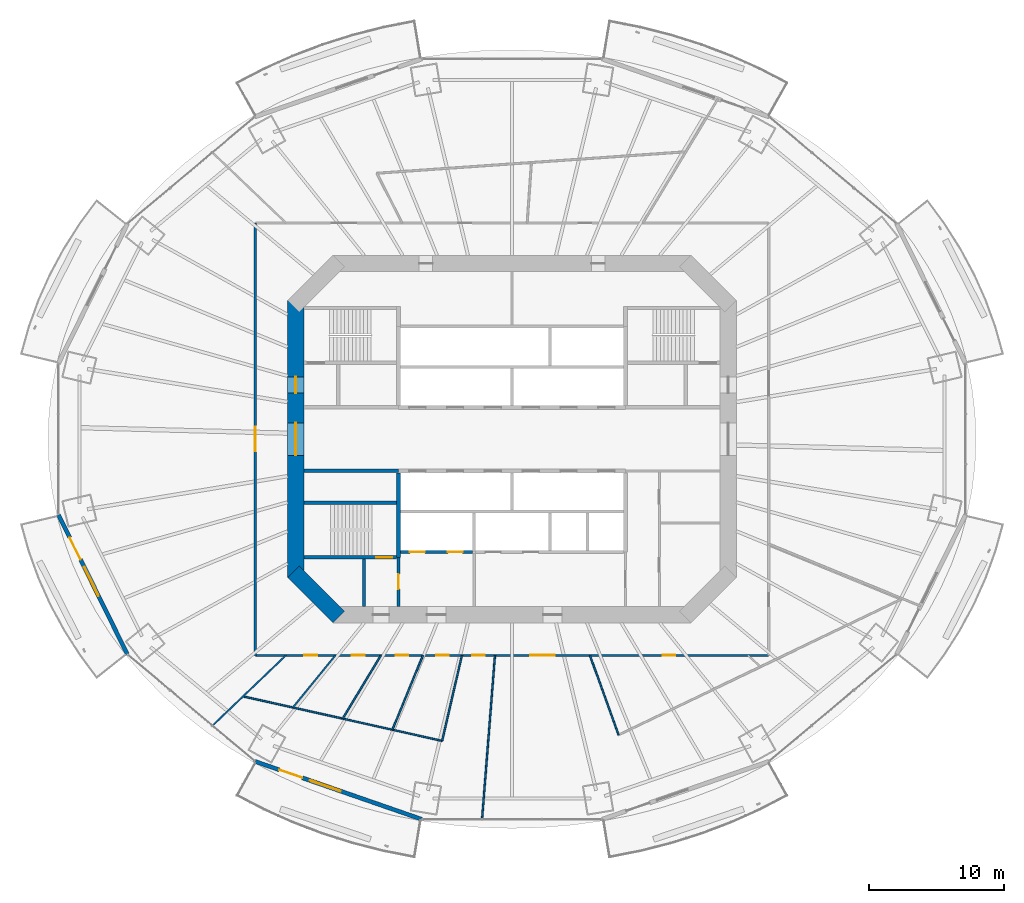
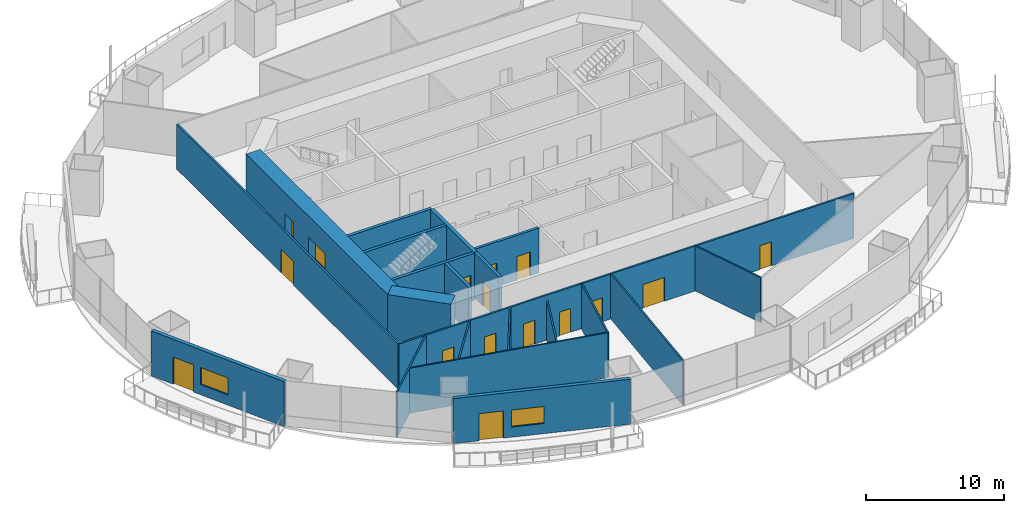
# One storey, part 13 of 22: 21 walls, 16 doors, 2 windows, 18 openings.
"""IFC4 building model written with IfcOpenShell, lengths in metres."""

from ifc_helpers import new_model, si_unit, direction, frame, frame_2d, origin, place, context, subcontext, project, spatial, rectangle, extrude, material, layer, layer_set, type_object, element, fill, save


model = new_model("IFC4")

# Units and contexts
model_context = context("Model", 3, precision=1e-05, world=origin(), true_north=direction((0.0, 1.0)))
body_context = subcontext(model_context, "Body", "Model", "MODEL_VIEW")
ifc_project = project(units=[si_unit("LENGTHUNIT", "METRE"), si_unit("AREAUNIT", "SQUARE_METRE"), si_unit("VOLUMEUNIT", "CUBIC_METRE"), si_unit("PLANEANGLEUNIT", "RADIAN"), si_unit("MASSUNIT", "GRAM", prefix="KILO")], contexts=[model_context])

# Site, building, storey
site_placement = place(None, origin())
site = spatial("IfcSite", under=ifc_project, at=site_placement, CompositionType="ELEMENT")
building_placement = place(site_placement, origin())
building = spatial("IfcBuilding", under=site, at=building_placement, Name="Marenthal Gate Tower", CompositionType="ELEMENT")
storey_placement = place(building_placement, frame((0.0, 0.0, 107.699951171875)))
storey = spatial("IfcBuildingStorey", under=building, at=storey_placement, Name="L22", CompositionType="ELEMENT", Elevation=107.699951171875)

# Wall, openings, doors
ifc_material_1 = material(Name="Concrete 60 MPa", Category="concrete")
ifc_layer_1 = layer(ifc_material_1, 1.199951171875)
ifc_layer_set_1 = layer_set([ifc_layer_1], Name="Core shear wall 1200")
wall_type_1 = type_object("IfcWallType", Name="Core shear wall 1200", PredefinedType="SHEAR", material=ifc_layer_set_1)
wall_1_placement = place(storey_placement, frame((-16.0, 10.24853515625, -0.179931640625), z_axis=(0.0, 0.0, 1.0), x_axis=(0.0, -1.0, 0.0)))
wall_1 = element("IfcWall", 1, at=wall_1_placement, inside=storey, type_object=wall_type_1, Name="Core wall 06", PredefinedType="SHEAR", context=body_context, shape_type="SweptSolid", body=[
    extrude(rectangle(XDim=20.4970703125, YDim=1.199951171875, at=frame_2d((10.24853515625, 0.0))), origin(), (0.0, 0.0, 1.0), 4.14990234375),
])
opening_1_placement = place(wall_1_placement, frame((9.048583984375, 0.0, 0.179931640625)))
opening_1 = element("IfcOpeningElement", 2, at=opening_1_placement, cuts=wall_1, Name="Opening D003.01", PredefinedType="OPENING", context=body_context, shape_type="SweptSolid", body=[
    extrude(rectangle(XDim=2.39990234375, YDim=2.10009765625, at=frame_2d((1.199951171875, 1.050048828125))), frame((0.0, 0.60986328125, 0.0), z_axis=(0.0, -1.0, 0.0), x_axis=(1.0, 0.0, 0.0)), (0.0, 0.0, 1.0), 1.219970703125),
])
opening_2_placement = place(wall_1_placement, frame((5.6484375, 0.0, 0.179931640625)))
opening_2 = element("IfcOpeningElement", 3, at=opening_2_placement, cuts=wall_1, Name="Opening D001.04", PredefinedType="OPENING", context=body_context, shape_type="SweptSolid", body=[
    extrude(rectangle(XDim=1.199951171875, YDim=2.10009765625, at=frame_2d((0.60009765625, 1.050048828125))), frame((0.0, 0.60986328125, 0.0), z_axis=(0.0, -1.0, 0.0), x_axis=(1.0, 0.0, 0.0)), (0.0, 0.0, 1.0), 1.219970703125),
])
ifc_material_2 = material(Name="Steel fire door", Category="steel")
door_type_1 = type_object("IfcDoorType", Name="Double fire door FD 45 2400 x 2100", OperationType="DOUBLE_DOOR_SINGLE_SWING", PredefinedType="DOOR", material=ifc_material_2)
door_1_placement = place(opening_1_placement, origin())
door_1 = element("IfcDoor", 4, at=door_1_placement, inside=storey, type_object=door_type_1, Name="Door D003.01", OperationType="DOUBLE_DOOR_SINGLE_SWING", OverallHeight=2.10009765625, OverallWidth=2.39990234375, PredefinedType="DOOR", context=body_context, shape_type="SweptSolid", body=[
    extrude(rectangle(XDim=2.39990234375, YDim=2.10009765625, at=frame_2d((1.199951171875, 1.050048828125))), frame((0.0, 0.02490234375, 0.0), z_axis=(0.0, -1.0, 0.0), x_axis=(1.0, 0.0, 0.0)), (0.0, 0.0, 1.0), 0.050048828125),
])
fill(opening_1, door_1)
ifc_material_3 = material(Name="Steel fire door", Category="steel")
door_type_2 = type_object("IfcDoorType", Name="Fire door FD 90 1200 x 2100", OperationType="NOTDEFINED", PredefinedType="DOOR", material=ifc_material_3)
door_2_placement = place(opening_2_placement, origin())
door_2 = element("IfcDoor", 5, at=door_2_placement, inside=storey, type_object=door_type_2, Name="Door D001.04", OperationType="SINGLE_SWING_RIGHT", OverallHeight=2.10009765625, OverallWidth=1.199951171875, PredefinedType="DOOR", context=body_context, shape_type="SweptSolid", body=[
    extrude(rectangle(XDim=1.199951171875, YDim=2.10009765625, at=frame_2d((0.60009765625, 1.050048828125))), frame((0.0, 0.02490234375, 0.0), z_axis=(0.0, -1.0, 0.0), x_axis=(1.0, 0.0, 0.0)), (0.0, 0.0, 1.0), 0.050048828125),
])
fill(opening_2, door_2)

# Walls
wall_2_placement = place(storey_placement, frame((-16.17578125, -9.82421875, -0.179931640625), z_axis=(0.0, 0.0, 1.0), x_axis=(0.707106781187, -0.707106781187, 0.0)))
element("IfcWall", 6, at=wall_2_placement, inside=storey, type_object=wall_type_1, Name="Core wall 07", PredefinedType="SHEAR", context=body_context, shape_type="SweptSolid", body=[
    extrude(rectangle(XDim=4.73974609375, YDim=1.199951171875, at=frame_2d((2.369873046875, 0.0))), origin(), (0.0, 0.0, 1.0), 4.14990234375),
])
ifc_material_4 = material(Name="Concrete 50 MPa", Category="concrete")
ifc_layer_2 = layer(ifc_material_4, 0.300048828125)
ifc_layer_set_2 = layer_set([ifc_layer_2], Name="Hoistway shear wall 300")
wall_type_2 = type_object("IfcWallType", Name="Hoistway shear wall 300", PredefinedType="SHEAR", material=ifc_layer_set_2)
wall_3_placement = place(storey_placement, frame((-8.39990234375, -8.75, -0.179931640625), z_axis=(0.0, 0.0, 1.0), x_axis=(0.0, 1.0, 0.0)))
element("IfcWall", 7, at=wall_3_placement, inside=storey, type_object=wall_type_2, Name="Hoistway wall 30", PredefinedType="SHEAR", context=body_context, shape_type="SweptSolid", body=[
    extrude(rectangle(XDim=6.25, YDim=0.300048828125, at=frame_2d((3.125, 0.0))), origin(), (0.0, 0.0, 1.0), 4.14990234375),
])

# Wall, openings, doors
ifc_material_5 = material(Name="Concrete 40 MPa", Category="concrete")
ifc_layer_3 = layer(ifc_material_5, 0.219970703125)
ifc_layer_set_3 = layer_set([ifc_layer_3], Name="Hoistway wall 220")
wall_type_3 = type_object("IfcWallType", Name="Hoistway wall 220", PredefinedType="STANDARD", material=ifc_layer_set_3)
wall_4_placement = place(storey_placement, frame((-8.25, -8.35009765625, 0.0), z_axis=(0.0, 0.0, 1.0), x_axis=(1.0, 0.0, 0.0)))
wall_4 = element("IfcWall", 8, at=wall_4_placement, inside=storey, type_object=wall_type_3, Name="Hoistway wall 10", PredefinedType="STANDARD", context=body_context, shape_type="SweptSolid", body=[
    extrude(rectangle(XDim=5.340087890625, YDim=0.219970703125, at=frame_2d((2.669921875, 0.0))), origin(), (0.0, 0.0, 1.0), 3.969970703125),
])
opening_3_placement = place(wall_4_placement, frame((0.699951171875, 0.0, 0.0)))
opening_3 = element("IfcOpeningElement", 9, at=opening_3_placement, cuts=wall_4, Name="Opening LD-LF1", PredefinedType="OPENING", context=body_context, shape_type="SweptSolid", body=[
    extrude(rectangle(XDim=1.10009765625, YDim=2.10009765625, at=frame_2d((0.550048828125, 1.050048828125))), frame((0.0, 0.1201171875, 0.0), z_axis=(0.0, -1.0, 0.0), x_axis=(1.0, 0.0, 0.0)), (0.0, 0.0, 1.0), 0.239990234375),
])
opening_4_placement = place(wall_4_placement, frame((3.5, 0.0, 0.0)))
opening_4 = element("IfcOpeningElement", 10, at=opening_4_placement, cuts=wall_4, Name="Opening LD-LF2", PredefinedType="OPENING", context=body_context, shape_type="SweptSolid", body=[
    extrude(rectangle(XDim=1.10009765625, YDim=2.10009765625, at=frame_2d((0.550048828125, 1.050048828125))), frame((0.0, 0.1201171875, 0.0), z_axis=(0.0, -1.0, 0.0), x_axis=(1.0, 0.0, 0.0)), (0.0, 0.0, 1.0), 0.239990234375),
])
ifc_material_6 = material(Name="Stainless steel sliding door", Category="steel")
door_type_3 = type_object("IfcDoorType", Name="Lift landing door FD 90 1100 x 2100", OperationType="DOUBLE_DOOR_SLIDING", PredefinedType="DOOR", material=ifc_material_6)
door_3_placement = place(opening_3_placement, origin())
door_3 = element("IfcDoor", 11, at=door_3_placement, inside=storey, type_object=door_type_3, Name="Lift landing door LF1", OperationType="DOUBLE_DOOR_SLIDING", OverallHeight=2.10009765625, OverallWidth=1.10009765625, PredefinedType="DOOR", context=body_context, shape_type="SweptSolid", body=[
    extrude(rectangle(XDim=1.10009765625, YDim=2.10009765625, at=frame_2d((0.550048828125, 1.050048828125))), frame((0.0, 0.02490234375, 0.0), z_axis=(0.0, -1.0, 0.0), x_axis=(1.0, 0.0, 0.0)), (0.0, 0.0, 1.0), 0.050048828125),
])
fill(opening_3, door_3)
door_4_placement = place(opening_4_placement, origin())
door_4 = element("IfcDoor", 12, at=door_4_placement, inside=storey, type_object=door_type_3, Name="Lift landing door LF2", OperationType="DOUBLE_DOOR_SLIDING", OverallHeight=2.10009765625, OverallWidth=1.10009765625, PredefinedType="DOOR", context=body_context, shape_type="SweptSolid", body=[
    extrude(rectangle(XDim=1.10009765625, YDim=2.10009765625, at=frame_2d((0.550048828125, 1.050048828125))), frame((0.0, 0.02490234375, 0.0), z_axis=(0.0, -1.0, 0.0), x_axis=(1.0, 0.0, 0.0)), (0.0, 0.0, 1.0), 0.050048828125),
])
fill(opening_4, door_4)

# Walls
ifc_material_7 = material(Name="Gypsum board on steel studs", Category="steel")
ifc_layer_4 = layer(ifc_material_7, 0.1201171875)
ifc_layer_set_4 = layer_set([ifc_layer_4], Name="Partition 120")
wall_type_4 = type_object("IfcWallType", Name="Partition 120", PredefinedType="PARTITIONING", material=ifc_layer_set_4)
wall_5_placement = place(storey_placement, frame((-19.902587890625, -19.039306640625, 0.0), z_axis=(0.0, 0.0, 1.0), x_axis=(0.975911899849, -0.218164991996, 0.0)))
element("IfcWall", 13, at=wall_5_placement, inside=storey, type_object=wall_type_4, Name="Partition wall 47", PredefinedType="PARTITIONING", context=body_context, shape_type="SweptSolid", body=[
    extrude(rectangle(XDim=15.094970703125, YDim=0.1201171875, at=frame_2d((7.54736328125, 0.0))), origin(), (0.0, 0.0, 1.0), 3.969970703125),
])
wall_6_placement = place(storey_placement, frame((-16.7255859375, -16.0, 0.0), z_axis=(0.0, 0.0, 1.0), x_axis=(-0.722599633889, -0.691266785767, 0.0)))
element("IfcWall", 14, at=wall_6_placement, inside=storey, type_object=wall_type_4, Name="Partition wall 50", PredefinedType="PARTITIONING", context=body_context, shape_type="SweptSolid", body=[
    extrude(rectangle(XDim=7.53466796875, YDim=0.1201171875, at=frame_2d((3.767333984375, 0.0))), origin(), (0.0, 0.0, 1.0), 3.969970703125),
])
wall_7_placement = place(storey_placement, frame((-16.2197265625, -19.862548828125, 0.0), z_axis=(0.0, 0.0, 1.0), x_axis=(0.632491004323, 0.774567704884, 0.0)))
element("IfcWall", 15, at=wall_7_placement, inside=storey, type_object=wall_type_4, Name="Partition wall 52", PredefinedType="PARTITIONING", context=body_context, shape_type="SweptSolid", body=[
    extrude(rectangle(XDim=4.98681640625, YDim=0.1201171875, at=frame_2d((2.493408203125, 0.0))), origin(), (0.0, 0.0, 1.0), 3.969970703125),
])
wall_8_placement = place(storey_placement, frame((-12.536865234375, -20.685791015625, 0.0), z_axis=(0.0, 0.0, 1.0), x_axis=(0.518297766023, 0.855200225523, 0.0)))
element("IfcWall", 16, at=wall_8_placement, inside=storey, type_object=wall_type_4, Name="Partition wall 53", PredefinedType="PARTITIONING", context=body_context, shape_type="SweptSolid", body=[
    extrude(rectangle(XDim=5.479248046875, YDim=0.1201171875, at=frame_2d((2.73974609375, 0.0))), origin(), (0.0, 0.0, 1.0), 3.969970703125),
])
wall_9_placement = place(storey_placement, frame((-8.85400390625, -21.509033203125, 0.0), z_axis=(0.0, 0.0, 1.0), x_axis=(0.380663236363, 0.92471373975, 0.0)))
element("IfcWall", 17, at=wall_9_placement, inside=storey, type_object=wall_type_4, Name="Partition wall 55", PredefinedType="PARTITIONING", context=body_context, shape_type="SweptSolid", body=[
    extrude(rectangle(XDim=5.95751953125, YDim=0.1201171875, at=frame_2d((2.978759765625, 0.0))), origin(), (0.0, 0.0, 1.0), 3.426025390625),
])
wall_10_placement = place(storey_placement, frame((-5.171142578125, -22.33251953125, 0.0), z_axis=(0.0, 0.0, 1.0), x_axis=(0.225583629602, 0.974223806964, 0.0)))
element("IfcWall", 18, at=wall_10_placement, inside=storey, type_object=wall_type_4, Name="Partition wall 56", PredefinedType="PARTITIONING", context=body_context, shape_type="SweptSolid", body=[
    extrude(rectangle(XDim=6.5, YDim=0.1201171875, at=frame_2d((3.25, 0.0))), origin(), (0.0, 0.0, 1.0), 3.969970703125),
])
wall_11_placement = place(storey_placement, frame((-1.260009765625, -16.0, 0.0), z_axis=(0.0, 0.0, 1.0), x_axis=(-0.078510530824, -0.996913284368, 0.0)))
element("IfcWall", 19, at=wall_11_placement, inside=storey, type_object=wall_type_4, Name="Partition wall 57", PredefinedType="PARTITIONING", context=body_context, shape_type="SweptSolid", body=[
    extrude(rectangle(XDim=12.17431640625, YDim=0.1201171875, at=frame_2d((6.087158203125, 0.0))), origin(), (0.0, 0.0, 1.0), 3.969970703125),
])
wall_12_placement = place(storey_placement, frame((7.887451171875, -21.892333984375, 0.0), z_axis=(0.0, 0.0, 1.0), x_axis=(-0.338974817015, 0.940795447177, 0.0)))
element("IfcWall", 20, at=wall_12_placement, inside=storey, type_object=wall_type_4, Name="Partition wall 60", PredefinedType="PARTITIONING", context=body_context, shape_type="SweptSolid", body=[
    extrude(rectangle(XDim=6.26318359375, YDim=0.1201171875, at=frame_2d((3.131591796875, 0.0))), origin(), (0.0, 0.0, 1.0), 3.969970703125),
])

# Wall, opening, door
ifc_material_8 = material(Name="Gypsum board on steel studs", Category="steel")
ifc_layer_5 = layer(ifc_material_8, 0.14990234375)
ifc_layer_set_5 = layer_set([ifc_layer_5], Name="Partition 150")
wall_type_5 = type_object("IfcWallType", Name="Partition 150", PredefinedType="PARTITIONING", material=ifc_layer_set_5)
wall_13_placement = place(storey_placement, frame((-19.0, -16.0, 0.0), z_axis=(0.0, 0.0, 1.0), x_axis=(0.0, 1.0, 0.0)))
wall_13 = element("IfcWall", 21, at=wall_13_placement, inside=storey, type_object=wall_type_5, Name="Partition wall 48", PredefinedType="PARTITIONING", context=body_context, shape_type="SweptSolid", body=[
    extrude(rectangle(XDim=32.0, YDim=0.14990234375, at=frame_2d((16.0, 0.0))), origin(), (0.0, 0.0, 1.0), 3.969970703125),
])
opening_5_placement = place(wall_13_placement, frame((15.10009765625, 0.0, 0.0)))
opening_5 = element("IfcOpeningElement", 22, at=opening_5_placement, cuts=wall_13, Name="Opening D014.02", PredefinedType="OPENING", context=body_context, shape_type="SweptSolid", body=[
    extrude(rectangle(XDim=1.800048828125, YDim=2.10009765625, at=frame_2d((0.89990234375, 1.050048828125))), frame((0.0, 0.0849609375, 0.0), z_axis=(0.0, -1.0, 0.0), x_axis=(1.0, 0.0, 0.0)), (0.0, 0.0, 1.0), 0.169921875),
])
ifc_material_9 = material(Name="Timber door", Category="wood")
door_type_4 = type_object("IfcDoorType", Name="Double door 1800 x 2100", OperationType="DOUBLE_DOOR_SINGLE_SWING", PredefinedType="DOOR", material=ifc_material_9)
door_5_placement = place(opening_5_placement, origin())
door_5 = element("IfcDoor", 23, at=door_5_placement, inside=storey, type_object=door_type_4, Name="Door D014.02", OperationType="DOUBLE_DOOR_SINGLE_SWING", OverallHeight=2.10009765625, OverallWidth=1.800048828125, PredefinedType="DOOR", context=body_context, shape_type="SweptSolid", body=[
    extrude(rectangle(XDim=1.800048828125, YDim=2.10009765625, at=frame_2d((0.89990234375, 1.050048828125))), frame((0.0, 0.02490234375, 0.0), z_axis=(0.0, -1.0, 0.0), x_axis=(1.0, 0.0, 0.0)), (0.0, 0.0, 1.0), 0.050048828125),
])
fill(opening_5, door_5)

# Wall, openings, doors
wall_14_placement = place(storey_placement, frame((19.0, -16.0, 0.0), z_axis=(0.0, 0.0, 1.0), x_axis=(-1.0, 0.0, 0.0)))
wall_14 = element("IfcWall", 24, at=wall_14_placement, inside=storey, type_object=wall_type_5, Name="Partition wall 64", PredefinedType="PARTITIONING", context=body_context, shape_type="SweptSolid", body=[
    extrude(rectangle(XDim=38.0, YDim=0.14990234375, at=frame_2d((19.0, 0.0))), origin(), (0.0, 0.0, 1.0), 3.969970703125),
])
opening_6_placement = place(wall_14_placement, frame((33.4208984375, 0.0, 0.0)))
opening_6 = element("IfcOpeningElement", 25, at=opening_6_placement, cuts=wall_14, Name="Opening D016.03", PredefinedType="OPENING", context=body_context, shape_type="SweptSolid", body=[
    extrude(rectangle(XDim=0.949951171875, YDim=2.10009765625, at=frame_2d((0.47509765625, 1.050048828125))), frame((0.0, 0.0849609375, 0.0), z_axis=(0.0, -1.0, 0.0), x_axis=(1.0, 0.0, 0.0)), (0.0, 0.0, 1.0), 0.169921875),
])
opening_7_placement = place(wall_14_placement, frame((29.906982421875, 0.0, 0.0)))
opening_7 = element("IfcOpeningElement", 26, at=opening_7_placement, cuts=wall_14, Name="Opening D016.04", PredefinedType="OPENING", context=body_context, shape_type="SweptSolid", body=[
    extrude(rectangle(XDim=0.949951171875, YDim=2.10009765625, at=frame_2d((0.47509765625, 1.050048828125))), frame((0.0, 0.0849609375, 0.0), z_axis=(0.0, -1.0, 0.0), x_axis=(1.0, 0.0, 0.0)), (0.0, 0.0, 1.0), 0.169921875),
])
opening_8_placement = place(wall_14_placement, frame((26.666015625, 0.0, 0.0)))
opening_8 = element("IfcOpeningElement", 27, at=opening_8_placement, cuts=wall_14, Name="Opening D016.05", PredefinedType="OPENING", context=body_context, shape_type="SweptSolid", body=[
    extrude(rectangle(XDim=0.949951171875, YDim=2.10009765625, at=frame_2d((0.47509765625, 1.050048828125))), frame((0.0, 0.0849609375, 0.0), z_axis=(0.0, -1.0, 0.0), x_axis=(1.0, 0.0, 0.0)), (0.0, 0.0, 1.0), 0.169921875),
])
opening_9_placement = place(wall_14_placement, frame((23.669921875, 0.0, 0.0)))
opening_9 = element("IfcOpeningElement", 28, at=opening_9_placement, cuts=wall_14, Name="Opening D016.06", PredefinedType="OPENING", context=body_context, shape_type="SweptSolid", body=[
    extrude(rectangle(XDim=0.949951171875, YDim=2.10009765625, at=frame_2d((0.47509765625, 1.050048828125))), frame((0.0, 0.0849609375, 0.0), z_axis=(0.0, -1.0, 0.0), x_axis=(1.0, 0.0, 0.0)), (0.0, 0.0, 1.0), 0.169921875),
])
opening_10_placement = place(wall_14_placement, frame((21.008056640625, 0.0, 0.0)))
opening_10 = element("IfcOpeningElement", 29, at=opening_10_placement, cuts=wall_14, Name="Opening D016.07", PredefinedType="OPENING", context=body_context, shape_type="SweptSolid", body=[
    extrude(rectangle(XDim=0.949951171875, YDim=2.10009765625, at=frame_2d((0.47509765625, 1.050048828125))), frame((0.0, 0.0849609375, 0.0), z_axis=(0.0, -1.0, 0.0), x_axis=(1.0, 0.0, 0.0)), (0.0, 0.0, 1.0), 0.169921875),
])
opening_11_placement = place(wall_14_placement, frame((6.912109375, 0.0, 0.0)))
opening_11 = element("IfcOpeningElement", 30, at=opening_11_placement, cuts=wall_14, Name="Opening D016.08", PredefinedType="OPENING", context=body_context, shape_type="SweptSolid", body=[
    extrude(rectangle(XDim=0.949951171875, YDim=2.10009765625, at=frame_2d((0.47509765625, 1.050048828125))), frame((0.0, 0.0849609375, 0.0), z_axis=(0.0, -1.0, 0.0), x_axis=(1.0, 0.0, 0.0)), (0.0, 0.0, 1.0), 0.169921875),
])
opening_12_placement = place(wall_14_placement, frame((15.847900390625, 0.0, 0.0)))
opening_12 = element("IfcOpeningElement", 31, at=opening_12_placement, cuts=wall_14, Name="Opening D014.03", PredefinedType="OPENING", context=body_context, shape_type="SweptSolid", body=[
    extrude(rectangle(XDim=1.800048828125, YDim=2.10009765625, at=frame_2d((0.89990234375, 1.050048828125))), frame((0.0, 0.0849609375, 0.0), z_axis=(0.0, -1.0, 0.0), x_axis=(1.0, 0.0, 0.0)), (0.0, 0.0, 1.0), 0.169921875),
])
ifc_material_10 = material(Name="Timber door", Category="wood")
door_type_5 = type_object("IfcDoorType", Name="Door 950 x 2100", OperationType="NOTDEFINED", PredefinedType="DOOR", material=ifc_material_10)
door_6_placement = place(opening_6_placement, origin())
door_6 = element("IfcDoor", 32, at=door_6_placement, inside=storey, type_object=door_type_5, Name="Door D016.03", OperationType="SINGLE_SWING_RIGHT", OverallHeight=2.10009765625, OverallWidth=0.949951171875, PredefinedType="DOOR", context=body_context, shape_type="SweptSolid", body=[
    extrude(rectangle(XDim=0.949951171875, YDim=2.10009765625, at=frame_2d((0.47509765625, 1.050048828125))), frame((0.0, 0.02490234375, 0.0), z_axis=(0.0, -1.0, 0.0), x_axis=(1.0, 0.0, 0.0)), (0.0, 0.0, 1.0), 0.050048828125),
])
fill(opening_6, door_6)
door_7_placement = place(opening_7_placement, origin())
door_7 = element("IfcDoor", 33, at=door_7_placement, inside=storey, type_object=door_type_5, Name="Door D016.04", OperationType="SINGLE_SWING_RIGHT", OverallHeight=2.10009765625, OverallWidth=0.949951171875, PredefinedType="DOOR", context=body_context, shape_type="SweptSolid", body=[
    extrude(rectangle(XDim=0.949951171875, YDim=2.10009765625, at=frame_2d((0.47509765625, 1.050048828125))), frame((0.0, 0.02490234375, 0.0), z_axis=(0.0, -1.0, 0.0), x_axis=(1.0, 0.0, 0.0)), (0.0, 0.0, 1.0), 0.050048828125),
])
fill(opening_7, door_7)
door_8_placement = place(opening_8_placement, origin())
door_8 = element("IfcDoor", 34, at=door_8_placement, inside=storey, type_object=door_type_5, Name="Door D016.05", OperationType="SINGLE_SWING_RIGHT", OverallHeight=2.10009765625, OverallWidth=0.949951171875, PredefinedType="DOOR", context=body_context, shape_type="SweptSolid", body=[
    extrude(rectangle(XDim=0.949951171875, YDim=2.10009765625, at=frame_2d((0.47509765625, 1.050048828125))), frame((0.0, 0.02490234375, 0.0), z_axis=(0.0, -1.0, 0.0), x_axis=(1.0, 0.0, 0.0)), (0.0, 0.0, 1.0), 0.050048828125),
])
fill(opening_8, door_8)
door_9_placement = place(opening_9_placement, origin())
door_9 = element("IfcDoor", 35, at=door_9_placement, inside=storey, type_object=door_type_5, Name="Door D016.06", OperationType="SINGLE_SWING_RIGHT", OverallHeight=2.10009765625, OverallWidth=0.949951171875, PredefinedType="DOOR", context=body_context, shape_type="SweptSolid", body=[
    extrude(rectangle(XDim=0.949951171875, YDim=2.10009765625, at=frame_2d((0.47509765625, 1.050048828125))), frame((0.0, 0.02490234375, 0.0), z_axis=(0.0, -1.0, 0.0), x_axis=(1.0, 0.0, 0.0)), (0.0, 0.0, 1.0), 0.050048828125),
])
fill(opening_9, door_9)
door_10_placement = place(opening_10_placement, origin())
door_10 = element("IfcDoor", 36, at=door_10_placement, inside=storey, type_object=door_type_5, Name="Door D016.07", OperationType="SINGLE_SWING_RIGHT", OverallHeight=2.10009765625, OverallWidth=0.949951171875, PredefinedType="DOOR", context=body_context, shape_type="SweptSolid", body=[
    extrude(rectangle(XDim=0.949951171875, YDim=2.10009765625, at=frame_2d((0.47509765625, 1.050048828125))), frame((0.0, 0.02490234375, 0.0), z_axis=(0.0, -1.0, 0.0), x_axis=(1.0, 0.0, 0.0)), (0.0, 0.0, 1.0), 0.050048828125),
])
fill(opening_10, door_10)
door_11_placement = place(opening_11_placement, origin())
door_11 = element("IfcDoor", 37, at=door_11_placement, inside=storey, type_object=door_type_5, Name="Door D016.08", OperationType="SINGLE_SWING_RIGHT", OverallHeight=2.10009765625, OverallWidth=0.949951171875, PredefinedType="DOOR", context=body_context, shape_type="SweptSolid", body=[
    extrude(rectangle(XDim=0.949951171875, YDim=2.10009765625, at=frame_2d((0.47509765625, 1.050048828125))), frame((0.0, 0.02490234375, 0.0), z_axis=(0.0, -1.0, 0.0), x_axis=(1.0, 0.0, 0.0)), (0.0, 0.0, 1.0), 0.050048828125),
])
fill(opening_11, door_11)
door_12_placement = place(opening_12_placement, origin())
door_12 = element("IfcDoor", 38, at=door_12_placement, inside=storey, type_object=door_type_4, Name="Door D014.03", OperationType="DOUBLE_DOOR_SINGLE_SWING", OverallHeight=2.10009765625, OverallWidth=1.800048828125, PredefinedType="DOOR", context=body_context, shape_type="SweptSolid", body=[
    extrude(rectangle(XDim=1.800048828125, YDim=2.10009765625, at=frame_2d((0.89990234375, 1.050048828125))), frame((0.0, 0.02490234375, 0.0), z_axis=(0.0, -1.0, 0.0), x_axis=(1.0, 0.0, 0.0)), (0.0, 0.0, 1.0), 0.050048828125),
])
fill(opening_12, door_12)

# Walls
ifc_material_11 = material(Name="Concrete 40 MPa", Category="concrete")
ifc_layer_6 = layer(ifc_material_11, 0.25)
ifc_layer_set_6 = layer_set([ifc_layer_6], Name="Stair enclosure wall 250")
wall_type_6 = type_object("IfcWallType", Name="Stair enclosure wall 250", PredefinedType="STANDARD", material=ifc_layer_set_6)
wall_15_placement = place(storey_placement, frame((-15.39990234375, -2.35009765625, 0.0), z_axis=(0.0, 0.0, 1.0), x_axis=(1.0, 0.0, 0.0)))
element("IfcWall", 39, at=wall_15_placement, inside=storey, type_object=wall_type_6, Name="Stair wall 15", PredefinedType="STANDARD", context=body_context, shape_type="SweptSolid", body=[
    extrude(rectangle(XDim=7.0, YDim=0.25, at=frame_2d((3.5, 0.0))), origin(), (0.0, 0.0, 1.0), 3.969970703125),
])
wall_16_placement = place(storey_placement, frame((-10.949951171875, -12.39990234375, 0.0), z_axis=(0.0, 0.0, 1.0), x_axis=(0.0, 1.0, 0.0)))
element("IfcWall", 40, at=wall_16_placement, inside=storey, type_object=wall_type_6, Name="Stair wall 28", PredefinedType="STANDARD", context=body_context, shape_type="SweptSolid", body=[
    extrude(rectangle(XDim=3.52490234375, YDim=0.25, at=frame_2d((1.762451171875, 0.0))), origin(), (0.0, 0.0, 1.0), 3.969970703125),
])

# Wall, opening, door
wall_17_placement = place(storey_placement, frame((-8.39990234375, -12.39990234375, 0.0), z_axis=(0.0, 0.0, 1.0), x_axis=(0.0, 1.0, 0.0)))
wall_17 = element("IfcWall", 41, at=wall_17_placement, inside=storey, type_object=wall_type_6, Name="Stair wall 29", PredefinedType="STANDARD", context=body_context, shape_type="SweptSolid", body=[
    extrude(rectangle(XDim=3.64990234375, YDim=0.25, at=frame_2d((1.824951171875, 0.0))), origin(), (0.0, 0.0, 1.0), 3.969970703125),
])
opening_13_placement = place(wall_17_placement, frame((1.300048828125, 0.0, 0.0)))
opening_13 = element("IfcOpeningElement", 42, at=opening_13_placement, cuts=wall_17, Name="Opening D002.01", PredefinedType="OPENING", context=body_context, shape_type="SweptSolid", body=[
    extrude(rectangle(XDim=1.10009765625, YDim=2.10009765625, at=frame_2d((0.550048828125, 1.050048828125))), frame((0.0, 0.135009765625, 0.0), z_axis=(0.0, -1.0, 0.0), x_axis=(1.0, 0.0, 0.0)), (0.0, 0.0, 1.0), 0.27001953125),
])
ifc_material_12 = material(Name="Steel fire door", Category="steel")
door_type_6 = type_object("IfcDoorType", Name="Fire door FD 90 1100 x 2100", OperationType="NOTDEFINED", PredefinedType="DOOR", material=ifc_material_12)
door_13_placement = place(opening_13_placement, origin())
door_13 = element("IfcDoor", 43, at=door_13_placement, inside=storey, type_object=door_type_6, Name="Door D002.01", OperationType="SINGLE_SWING_RIGHT", OverallHeight=2.10009765625, OverallWidth=1.10009765625, PredefinedType="DOOR", context=body_context, shape_type="SweptSolid", body=[
    extrude(rectangle(XDim=1.10009765625, YDim=2.10009765625, at=frame_2d((0.550048828125, 1.050048828125))), frame((0.0, 0.02490234375, 0.0), z_axis=(0.0, -1.0, 0.0), x_axis=(1.0, 0.0, 0.0)), (0.0, 0.0, 1.0), 0.050048828125),
])
fill(opening_13, door_13)

ifc_material_13 = material(Name="Concrete 50 MPa", Category="concrete")
ifc_layer_7 = layer(ifc_material_13, 0.25)
ifc_layer_set_7 = layer_set([ifc_layer_7], Name="Stair shear wall 250")
wall_type_7 = type_object("IfcWallType", Name="Stair shear wall 250", PredefinedType="SHEAR", material=ifc_layer_set_7)
wall_18_placement = place(storey_placement, frame((-15.39990234375, -8.75, -0.179931640625), z_axis=(0.0, 0.0, 1.0), x_axis=(1.0, 0.0, 0.0)))
wall_18 = element("IfcWall", 44, at=wall_18_placement, inside=storey, type_object=wall_type_7, Name="Stair wall 09", PredefinedType="SHEAR", context=body_context, shape_type="SweptSolid", body=[
    extrude(rectangle(XDim=6.849853515625, YDim=0.25, at=frame_2d((3.4248046875, 0.0))), origin(), (0.0, 0.0, 1.0), 4.14990234375),
])
opening_14_placement = place(wall_18_placement, frame((5.35009765625, 0.0, 0.179931640625)))
opening_14 = element("IfcOpeningElement", 45, at=opening_14_placement, cuts=wall_18, Name="Opening D001.03", PredefinedType="OPENING", context=body_context, shape_type="SweptSolid", body=[
    extrude(rectangle(XDim=1.199951171875, YDim=2.10009765625, at=frame_2d((0.60009765625, 1.050048828125))), frame((0.0, 0.135009765625, 0.0), z_axis=(0.0, -1.0, 0.0), x_axis=(1.0, 0.0, 0.0)), (0.0, 0.0, 1.0), 0.27001953125),
])
door_14_placement = place(opening_14_placement, origin())
door_14 = element("IfcDoor", 46, at=door_14_placement, inside=storey, type_object=door_type_2, Name="Door D001.03", OperationType="SINGLE_SWING_RIGHT", OverallHeight=2.10009765625, OverallWidth=1.199951171875, PredefinedType="DOOR", context=body_context, shape_type="SweptSolid", body=[
    extrude(rectangle(XDim=1.199951171875, YDim=2.10009765625, at=frame_2d((0.60009765625, 1.050048828125))), frame((0.0, 0.02490234375, 0.0), z_axis=(0.0, -1.0, 0.0), x_axis=(1.0, 0.0, 0.0)), (0.0, 0.0, 1.0), 0.050048828125),
])
fill(opening_14, door_14)

# Wall
wall_19_placement = place(storey_placement, frame((-15.39990234375, -4.699951171875, -0.179931640625), z_axis=(0.0, 0.0, 1.0), x_axis=(1.0, 0.0, 0.0)))
element("IfcWall", 47, at=wall_19_placement, inside=storey, type_object=wall_type_7, Name="Stair wall 14", PredefinedType="SHEAR", context=body_context, shape_type="SweptSolid", body=[
    extrude(rectangle(XDim=6.849853515625, YDim=0.25, at=frame_2d((3.4248046875, 0.0))), origin(), (0.0, 0.0, 1.0), 4.14990234375),
])

# Wall, openings, door, window
ifc_material_14 = material(Name="Terracotta cladding on insulated concrete-block backing", Category="masonry")
ifc_layer_8 = layer(ifc_material_14, 0.300048828125)
ifc_layer_set_8 = layer_set([ifc_layer_8], Name="Terracotta facade wall 300")
wall_type_8 = type_object("IfcWallType", Name="Terracotta facade wall 300", PredefinedType="SOLIDWALL", material=ifc_layer_set_8)
wall_20_placement = place(storey_placement, frame((-33.568359375, -5.5966796875, 0.0), z_axis=(0.0, 0.0, 1.0), x_axis=(0.443018089739, -0.896512672618, 0.0)))
wall_20 = element("IfcWall", 48, at=wall_20_placement, inside=storey, type_object=wall_type_8, Name="Terracotta facade wall L22 bay 9", PredefinedType="SOLIDWALL", context=body_context, shape_type="SweptSolid", body=[
    extrude(rectangle(XDim=11.535400390625, YDim=0.300048828125, at=frame_2d((5.767578125, 0.0))), origin(), (0.0, 0.0, 1.0), 3.969970703125),
])
opening_15_placement = place(wall_20_placement, frame((1.89990234375, 0.0, 0.0)))
opening_15 = element("IfcOpeningElement", 49, at=opening_15_placement, cuts=wall_20, Name="Opening BD-L22-09", PredefinedType="OPENING", context=body_context, shape_type="SweptSolid", body=[
    extrude(rectangle(XDim=1.800048828125, YDim=2.39990234375, at=frame_2d((0.89990234375, 1.199951171875))), frame((0.0, 0.16015625, 0.0), z_axis=(0.0, -1.0, 0.0), x_axis=(1.0, 0.0, 0.0)), (0.0, 0.0, 1.0), 0.320068359375),
])
opening_16_placement = place(wall_20_placement, frame((4.300048828125, 0.0, 0.89990234375)))
opening_16 = element("IfcOpeningElement", 50, at=opening_16_placement, cuts=wall_20, Name="Opening WN1-L22-09", PredefinedType="OPENING", context=body_context, shape_type="SweptSolid", body=[
    extrude(rectangle(XDim=2.39990234375, YDim=1.5, at=frame_2d((1.199951171875, 0.75))), frame((0.0, 0.16015625, 0.0), z_axis=(0.0, -1.0, 0.0), x_axis=(1.0, 0.0, 0.0)), (0.0, 0.0, 1.0), 0.320068359375),
])
ifc_material_15 = material(Name="Aluminium and glass", Category="aluminium")
door_type_7 = type_object("IfcDoorType", Name="Balcony door 1800x2400", OperationType="DOUBLE_DOOR_SINGLE_SWING", PredefinedType="DOOR", material=ifc_material_15)
door_15_placement = place(opening_15_placement, origin())
door_15 = element("IfcDoor", 51, at=door_15_placement, inside=storey, type_object=door_type_7, Name="Balcony door L22 bay 9", OperationType="SINGLE_SWING_LEFT", OverallHeight=2.39990234375, OverallWidth=1.800048828125, PredefinedType="DOOR", context=body_context, shape_type="SweptSolid", body=[
    extrude(rectangle(XDim=1.800048828125, YDim=2.39990234375, at=frame_2d((0.89990234375, 1.199951171875))), frame((0.0, 0.02490234375, 0.0), z_axis=(0.0, -1.0, 0.0), x_axis=(1.0, 0.0, 0.0)), (0.0, 0.0, 1.0), 0.050048828125),
])
fill(opening_15, door_15)
ifc_material_16 = material(Name="Aluminium and glass", Category="aluminium")
window_type = type_object("IfcWindowType", Name="Window 2400x1500", PartitioningType="TRIPLE_PANEL_VERTICAL", PredefinedType="WINDOW", material=ifc_material_16)
window_1_placement = place(opening_16_placement, origin())
window_1 = element("IfcWindow", 52, at=window_1_placement, inside=storey, type_object=window_type, Name="Window L22 bay 9", OverallHeight=1.5, OverallWidth=2.39990234375, PartitioningType="SINGLE_PANEL", PredefinedType="WINDOW", context=body_context, shape_type="SweptSolid", body=[
    extrude(rectangle(XDim=2.39990234375, YDim=1.5, at=frame_2d((1.199951171875, 0.75))), frame((0.0, 0.030029296875, 0.0), z_axis=(0.0, -1.0, 0.0), x_axis=(1.0, 0.0, 0.0)), (0.0, 0.0, 1.0), 0.06005859375),
])
fill(opening_16, window_1)

wall_21_placement = place(storey_placement, frame((-19.014892578125, -23.853271484375, 0.0), z_axis=(0.0, 0.0, 1.0), x_axis=(0.944684524645, -0.327980409318, 0.0)))
wall_21 = element("IfcWall", 53, at=wall_21_placement, inside=storey, type_object=wall_type_8, Name="Terracotta facade wall L22 bay 11", PredefinedType="SOLIDWALL", context=body_context, shape_type="SweptSolid", body=[
    extrude(rectangle(XDim=13.06005859375, YDim=0.300048828125, at=frame_2d((6.530029296875, 0.0))), origin(), (0.0, 0.0, 1.0), 3.969970703125),
])
opening_17_placement = place(wall_21_placement, frame((1.89990234375, 0.0, 0.0)))
opening_17 = element("IfcOpeningElement", 54, at=opening_17_placement, cuts=wall_21, Name="Opening BD-L22-11", PredefinedType="OPENING", context=body_context, shape_type="SweptSolid", body=[
    extrude(rectangle(XDim=1.800048828125, YDim=2.39990234375, at=frame_2d((0.89990234375, 1.199951171875))), frame((0.0, 0.16015625, 0.0), z_axis=(0.0, -1.0, 0.0), x_axis=(1.0, 0.0, 0.0)), (0.0, 0.0, 1.0), 0.320068359375),
])
opening_18_placement = place(wall_21_placement, frame((4.300048828125, 0.0, 0.89990234375)))
opening_18 = element("IfcOpeningElement", 55, at=opening_18_placement, cuts=wall_21, Name="Opening WN1-L22-11", PredefinedType="OPENING", context=body_context, shape_type="SweptSolid", body=[
    extrude(rectangle(XDim=2.39990234375, YDim=1.5, at=frame_2d((1.199951171875, 0.75))), frame((0.0, 0.16015625, 0.0), z_axis=(0.0, -1.0, 0.0), x_axis=(1.0, 0.0, 0.0)), (0.0, 0.0, 1.0), 0.320068359375),
])
door_16_placement = place(opening_17_placement, origin())
door_16 = element("IfcDoor", 56, at=door_16_placement, inside=storey, type_object=door_type_7, Name="Balcony door L22 bay 11", OperationType="SINGLE_SWING_LEFT", OverallHeight=2.39990234375, OverallWidth=1.800048828125, PredefinedType="DOOR", context=body_context, shape_type="SweptSolid", body=[
    extrude(rectangle(XDim=1.800048828125, YDim=2.39990234375, at=frame_2d((0.89990234375, 1.199951171875))), frame((0.0, 0.02490234375, 0.0), z_axis=(0.0, -1.0, 0.0), x_axis=(1.0, 0.0, 0.0)), (0.0, 0.0, 1.0), 0.050048828125),
])
fill(opening_17, door_16)
window_2_placement = place(opening_18_placement, origin())
window_2 = element("IfcWindow", 57, at=window_2_placement, inside=storey, type_object=window_type, Name="Window L22 bay 11", OverallHeight=1.5, OverallWidth=2.39990234375, PartitioningType="SINGLE_PANEL", PredefinedType="WINDOW", context=body_context, shape_type="SweptSolid", body=[
    extrude(rectangle(XDim=2.39990234375, YDim=1.5, at=frame_2d((1.199951171875, 0.75))), frame((0.0, 0.030029296875, 0.0), z_axis=(0.0, -1.0, 0.0), x_axis=(1.0, 0.0, 0.0)), (0.0, 0.0, 1.0), 0.06005859375),
])
fill(opening_18, window_2)

save(model, "model.ifc")
